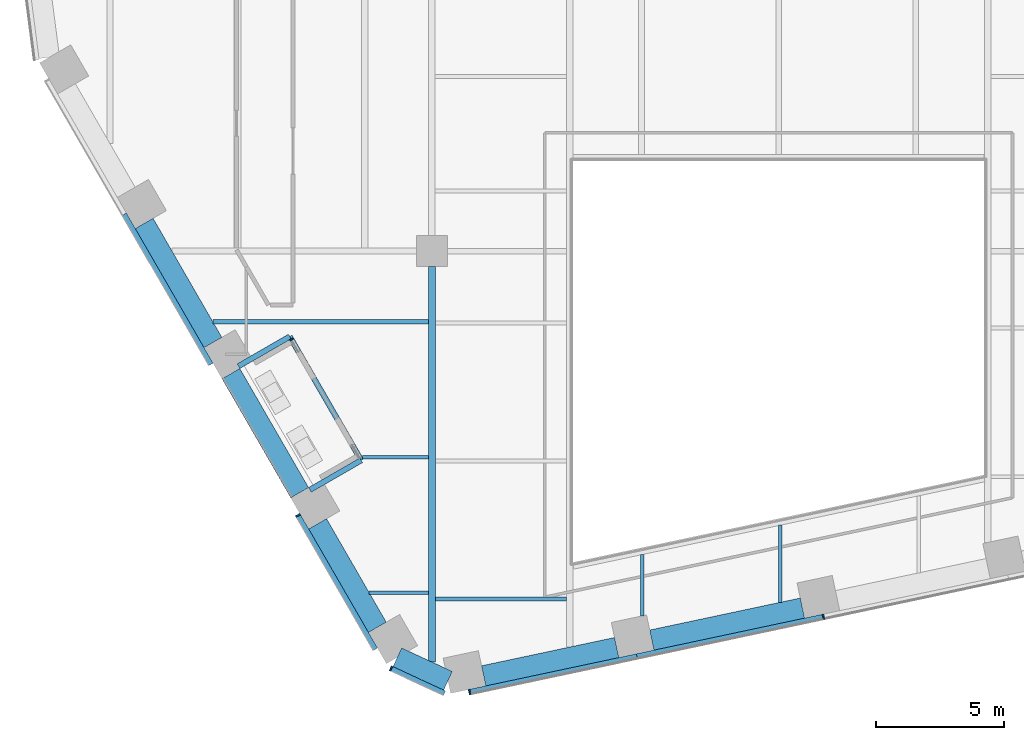
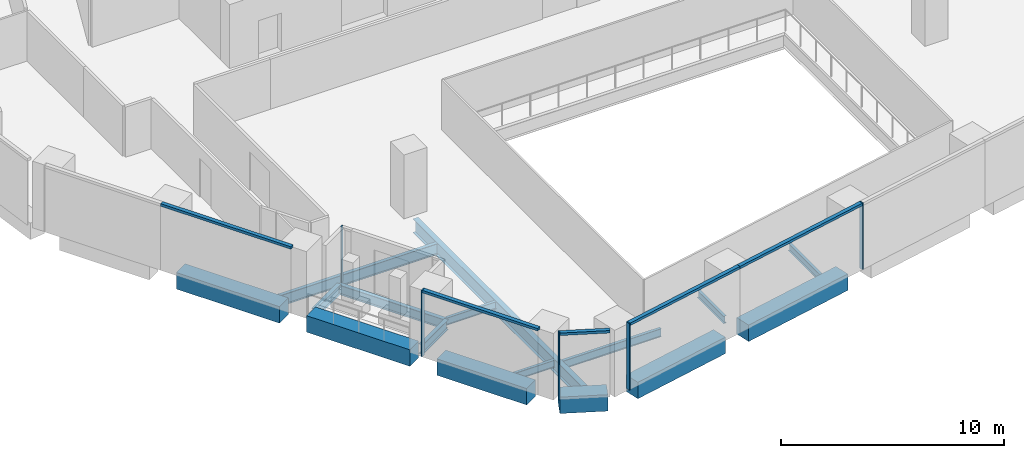
# One storey, part 2 of 26: 16 beams, 10 members, 4 elements without a shape of their own.
"""IFC4 building model written with IfcOpenShell, lengths in metres."""

from ifc_helpers import new_model, si_unit, direction, frame, origin, origin_2d, place, context, subcontext, project, spatial, rectangle, i_section, extrude, material, layer, layer_set, material_profile, profile_set, type_object, element, aggregate, save


model = new_model("IFC4")

# Units and contexts
model_context = context("Model", 3, precision=1e-05, world=origin(), true_north=direction((0.0, 1.0)))
body_context = subcontext(model_context, "Body", "Model", "MODEL_VIEW")
ifc_project = project(units=[si_unit("LENGTHUNIT", "METRE"), si_unit("AREAUNIT", "SQUARE_METRE"), si_unit("VOLUMEUNIT", "CUBIC_METRE"), si_unit("PLANEANGLEUNIT", "RADIAN"), si_unit("MASSUNIT", "GRAM", prefix="KILO")], contexts=[model_context])

# Site, building, storey
site_placement = place(None, origin())
site = spatial("IfcSite", under=ifc_project, at=site_placement, CompositionType="ELEMENT")
building_placement = place(site_placement, origin())
building = spatial("IfcBuilding", under=site, at=building_placement, Name="Isthmus Gate Tower", CompositionType="ELEMENT")
storey_placement = place(building_placement, frame((0.0, 0.0, 129.800048828125)))
storey = spatial("IfcBuildingStorey", under=building, at=storey_placement, Name="L31", CompositionType="ELEMENT", Elevation=129.800048828125)

# Curtain wall, member
ifc_material_1 = material(Name="Aluminium, pale champagne anodised", Category="aluminium")
ifc_layer_1 = layer(ifc_material_1, 0.199951171875)
ifc_layer_set_1 = layer_set([ifc_layer_1], Name="CW-1 UNITISED CURTAIN WALL 200 DEEP")
curtain_wall_type_1 = type_object("IfcCurtainWallType", Name="CW-1 UNITISED CURTAIN WALL 200 DEEP", PredefinedType="NOTDEFINED", material=ifc_layer_set_1)
curtain_wall_1_placement = place(storey_placement, origin())
curtain_wall_1 = element("IfcCurtainWall", 1, at=curtain_wall_1_placement, inside=storey, type_object=curtain_wall_type_1, Name="CW-1 SW L31", PredefinedType="NOTDEFINED")
ifc_material_2 = material(Name="Aluminium, pale champagne anodised", Category="aluminium")
ifc_material_profile_1 = material_profile(ifc_material_2, rectangle(XDim=0.06005859375, YDim=0.199951171875, at=origin_2d()), Name="60x200")
ifc_profile_set_1 = profile_set([ifc_material_profile_1], Name="Aluminium, pale champagne anodised")
member_type_1 = type_object("IfcMemberType", Name="CW-1 MULLION 60 X 200", PredefinedType="MULLION", material=ifc_profile_set_1)
member_1_placement = place(storey_placement, frame((-18.71435546875, -23.78564453125, 0.0), z_axis=(0.0, 0.0, 1.0), x_axis=(0.5, -0.866025403784, 0.0)))
member_1 = element("IfcMember", 2, at=member_1_placement, type_object=member_type_1, Name="CW-1 mullion", PredefinedType="MULLION", context=body_context, shape_type="SweptSolid", body=[
    extrude(rectangle(XDim=0.06005859375, YDim=0.199951171875, at=origin_2d()), origin(), (0.0, 0.0, 1.0), 3.64990234375),
])

curtain_wall_2_placement = place(storey_placement, origin())
curtain_wall_2 = element("IfcCurtainWall", 3, at=curtain_wall_2_placement, inside=storey, type_object=curtain_wall_type_1, Name="CW-1 SW-S L31", PredefinedType="NOTDEFINED")
member_2_placement = place(storey_placement, frame((-15.091064453125, -29.74755859375, 0.0), z_axis=(0.0, 0.0, 1.0), x_axis=(0.907256261367, -0.420578264073, 0.0)))
member_2 = element("IfcMember", 4, at=member_2_placement, type_object=member_type_1, Name="CW-1 mullion", PredefinedType="MULLION", context=body_context, shape_type="SweptSolid", body=[
    extrude(rectangle(XDim=0.06005859375, YDim=0.199951171875, at=origin_2d()), origin(), (0.0, 0.0, 1.0), 3.64990234375),
])

# Curtain wall, members
curtain_wall_3_placement = place(storey_placement, origin())
curtain_wall_3 = element("IfcCurtainWall", 5, at=curtain_wall_3_placement, inside=storey, type_object=curtain_wall_type_1, Name="CW-1 S L31", PredefinedType="NOTDEFINED")
member_3_placement = place(storey_placement, frame((-12.03369140625, -30.66015625, 0.0), z_axis=(0.0, 0.0, 1.0), x_axis=(0.978147600734, 0.207911690818, 0.0)))
member_3 = element("IfcMember", 6, at=member_3_placement, type_object=member_type_1, Name="CW-1 mullion", PredefinedType="MULLION", context=body_context, shape_type="SweptSolid", body=[
    extrude(rectangle(XDim=0.06005859375, YDim=0.199951171875, at=origin_2d()), origin(), (0.0, 0.0, 1.0), 3.64990234375),
])
member_4_placement = place(storey_placement, frame((1.740234375, -27.732421875, 0.0), z_axis=(0.0, 0.0, 1.0), x_axis=(0.978147600734, 0.207911690818, 0.0)))
member_4 = element("IfcMember", 7, at=member_4_placement, type_object=member_type_1, Name="CW-1 mullion", PredefinedType="MULLION", context=body_context, shape_type="SweptSolid", body=[
    extrude(rectangle(XDim=0.06005859375, YDim=0.199951171875, at=origin_2d()), origin(), (0.0, 0.0, 1.0), 3.64990234375),
])

# Member
ifc_material_3 = material(Name="Aluminium, pale champagne anodised", Category="aluminium")
ifc_material_profile_2 = material_profile(ifc_material_3, rectangle(XDim=0.199951171875, YDim=0.139892578125, at=origin_2d()), Name="200x140")
ifc_profile_set_2 = profile_set([ifc_material_profile_2], Name="Aluminium, pale champagne anodised")
member_type_2 = type_object("IfcMemberType", Name="CW-1 TRANSOM 200 X 140", PredefinedType="USERDEFINED", material=ifc_profile_set_2)
member_5_placement = place(storey_placement, frame((-25.4794921875, -12.068115234375, 3.579833984375), z_axis=(0.49998230858, -0.86603561769, 0.0), x_axis=(0.86603561769, 0.49998230858, 0.0)))
member_5 = element("IfcMember", 8, at=member_5_placement, type_object=member_type_2, Name="CW-1 transom", ObjectType="TRANSOM", PredefinedType="USERDEFINED", context=body_context, shape_type="SweptSolid", body=[
    extrude(rectangle(XDim=0.199951171875, YDim=0.139892578125, at=origin_2d()), origin(), (0.0, 0.0, 1.0), 6.750244140625),
])

member_6_placement = place(storey_placement, frame((-18.699462890625, -23.811767578125, 3.579833984375), z_axis=(0.500014106551, -0.86601725921, 0.0), x_axis=(0.86601725921, 0.500014106551, 0.0)))
member_6 = element("IfcMember", 9, at=member_6_placement, type_object=member_type_2, Name="CW-1 transom", ObjectType="TRANSOM", PredefinedType="USERDEFINED", context=body_context, shape_type="SweptSolid", body=[
    extrude(rectangle(XDim=0.199951171875, YDim=0.139892578125, at=origin_2d()), origin(), (0.0, 0.0, 1.0), 5.989990234375),
])

aggregate(curtain_wall_1, [member_5, member_1, member_6])

member_7_placement = place(storey_placement, frame((-15.06396484375, -29.76025390625, 3.579833984375), z_axis=(0.907246225564, -0.420599912268, 0.0), x_axis=(0.420599912268, 0.907246225564, 0.0)))
member_7 = element("IfcMember", 10, at=member_7_placement, type_object=member_type_2, Name="CW-1 transom", ObjectType="TRANSOM", PredefinedType="USERDEFINED", context=body_context, shape_type="SweptSolid", body=[
    extrude(rectangle(XDim=0.199951171875, YDim=0.139892578125, at=origin_2d()), origin(), (0.0, 0.0, 1.0), 2.258544921875),
])

aggregate(curtain_wall_2, [member_2, member_7])

member_8_placement = place(storey_placement, frame((-12.00439453125, -30.65380859375, 3.579833984375), z_axis=(0.97814593552, 0.207919524877, 0.0), x_axis=(-0.207919524877, 0.97814593552, 0.0)))
member_8 = element("IfcMember", 11, at=member_8_placement, type_object=member_type_2, Name="CW-1 transom", ObjectType="TRANSOM", PredefinedType="USERDEFINED", context=body_context, shape_type="SweptSolid", body=[
    extrude(rectangle(XDim=0.199951171875, YDim=0.139892578125, at=origin_2d()), origin(), (0.0, 0.0, 1.0), 6.630859375),
])

member_9_placement = place(storey_placement, frame((-5.5185546875, -29.275146484375, 3.579833984375), z_axis=(0.978147683684, 0.207911300568, 0.0), x_axis=(-0.207911300568, 0.978147683684, 0.0)))
member_9 = element("IfcMember", 12, at=member_9_placement, type_object=member_type_2, Name="CW-1 transom", ObjectType="TRANSOM", PredefinedType="USERDEFINED", context=body_context, shape_type="SweptSolid", body=[
    extrude(rectangle(XDim=0.199951171875, YDim=0.139892578125, at=origin_2d()), origin(), (0.0, 0.0, 1.0), 7.390869140625),
])

aggregate(curtain_wall_3, [member_3, member_8, member_9, member_4])

# Curtain wall, member
ifc_material_4 = material(Name="Aluminium, pale champagne anodised", Category="aluminium")
ifc_layer_2 = layer(ifc_material_4, 0.14990234375)
ifc_layer_set_2 = layer_set([ifc_layer_2], Name="CW-6 LOGGIA BACK WALL GLAZING 150 DEEP")
curtain_wall_type_2 = type_object("IfcCurtainWallType", Name="CW-6 LOGGIA BACK WALL GLAZING 150 DEEP", PredefinedType="NOTDEFINED", material=ifc_layer_set_2)
curtain_wall_4_placement = place(storey_placement, origin())
curtain_wall_4 = element("IfcCurtainWall", 13, at=curtain_wall_4_placement, inside=storey, type_object=curtain_wall_type_2, Name="CW-6 SW L31", PredefinedType="NOTDEFINED")
ifc_material_5 = material(Name="Aluminium, pale champagne anodised", Category="aluminium")
ifc_material_profile_3 = material_profile(ifc_material_5, rectangle(XDim=0.06005859375, YDim=0.14990234375, at=origin_2d()), Name="60x150")
ifc_profile_set_3 = profile_set([ifc_material_profile_3], Name="Aluminium, pale champagne anodised")
member_type_3 = type_object("IfcMemberType", Name="CW-6 MULLION 60 X 150", PredefinedType="MULLION", material=ifc_profile_set_3)
member_10_placement = place(storey_placement, frame((-18.96826171875, -16.946044921875, 0.0), z_axis=(0.0, 0.0, 1.0), x_axis=(0.5, -0.866025403784, 0.0)))
member_10 = element("IfcMember", 14, at=member_10_placement, type_object=member_type_3, Name="CW-6 mullion", PredefinedType="MULLION", context=body_context, shape_type="SweptSolid", body=[
    extrude(rectangle(XDim=0.06005859375, YDim=0.14990234375, at=origin_2d()), origin(), (0.0, 0.0, 1.0), 3.050048828125),
])
aggregate(curtain_wall_4, [member_10])

# Beams
ifc_material_6 = material(Name="Concrete f'c 60 MPa", Category="concrete")
ifc_material_profile_4 = material_profile(ifc_material_6, rectangle(XDim=0.800048828125, YDim=0.89990234375, at=origin_2d()), Name="RC 800X900")
ifc_profile_set_4 = profile_set([ifc_material_profile_4], Name="Concrete f'c 60 MPa")
beam_type_1 = type_object("IfcBeamType", Name="RC SPANDREL 800 X 900", PredefinedType="SPANDREL", material=ifc_profile_set_4)
beam_1_placement = place(storey_placement, frame((0.922119140625, -27.39501953125, -0.449951171875), z_axis=(-0.978145798872, -0.20792016773, 0.0), x_axis=(0.20792016773, -0.978145798872, 0.0)))
element("IfcBeam", 15, at=beam_1_placement, inside=storey, type_object=beam_type_1, Name="str-spandrel-L31-13", PredefinedType="SPANDREL", context=body_context, shape_type="SweptSolid", body=[
    extrude(rectangle(XDim=0.800048828125, YDim=0.89990234375, at=origin_2d()), origin(), (0.0, 0.0, 1.0), 5.99072265625),
])
beam_2_placement = place(storey_placement, frame((-6.30712890625, -28.931640625, -0.449951171875), z_axis=(-0.978145479826, -0.207921668653, 0.0), x_axis=(0.207921668653, -0.978145479826, 0.0)))
element("IfcBeam", 16, at=beam_2_placement, inside=storey, type_object=beam_type_1, Name="str-spandrel-L31-14", PredefinedType="SPANDREL", context=body_context, shape_type="SweptSolid", body=[
    extrude(rectangle(XDim=0.800048828125, YDim=0.89990234375, at=origin_2d()), origin(), (0.0, 0.0, 1.0), 5.291015625),
])
beam_3_placement = place(storey_placement, frame((-12.87255859375, -30.224853515625, -0.449951171875), z_axis=(-0.907290744498, 0.420503870314, 0.0), x_axis=(-0.420503870314, -0.907290744498, 0.0)))
element("IfcBeam", 17, at=beam_3_placement, inside=storey, type_object=beam_type_1, Name="str-spandrel-L31-15", PredefinedType="SPANDREL", context=body_context, shape_type="SweptSolid", body=[
    extrude(rectangle(XDim=0.800048828125, YDim=0.89990234375, at=origin_2d()), origin(), (0.0, 0.0, 1.0), 2.173095703125),
])
beam_4_placement = place(storey_placement, frame((-15.621337890625, -28.14306640625, -0.449951171875), z_axis=(-0.499984536904, 0.866034331223, 0.0), x_axis=(-0.866034331223, -0.499984536904, 0.0)))
element("IfcBeam", 18, at=beam_4_placement, inside=storey, type_object=beam_type_1, Name="str-spandrel-L31-16", PredefinedType="SPANDREL", context=body_context, shape_type="SweptSolid", body=[
    extrude(rectangle(XDim=0.800048828125, YDim=0.89990234375, at=origin_2d()), origin(), (0.0, 0.0, 1.0), 4.650146484375),
])
for number, where, z_axis, x_axis, name in (
    (19, (-18.646484375, -22.903564453125, -0.449951171875), (-0.500001594578, 0.866024483152, 0.0), (-0.866024483152, -0.500001594578, 0.0), "str-spandrel-L31-17"),
    (20, (-22.021484375, -17.0576171875, -0.449951171875), (-0.500001594578, 0.866024483152, 0.0), (-0.866024483152, -0.500001594578, 0.0), "str-spandrel-L31-18"),
):
    element("IfcBeam", number, at=place(storey_placement, frame(where, z_axis=z_axis, x_axis=x_axis)), inside=storey, type_object=beam_type_1, Name=name, PredefinedType="SPANDREL", context=body_context, shape_type="SweptSolid", body=[
        extrude(rectangle(XDim=0.800048828125, YDim=0.89990234375, at=origin_2d()), origin(), (0.0, 0.0, 1.0), 5.35009765625),
    ])
ifc_material_7 = material(Name="Structural steel ASTM A992 Gr 50", Category="steel")
ifc_material_profile_5 = material_profile(ifc_material_7, i_section(OverallWidth=0.1396484375, OverallDepth=0.4033203125, WebThickness=0.00634765625, FlangeThickness=0.010986328125, at=origin_2d()), Name="W16X31")
ifc_profile_set_5 = profile_set([ifc_material_profile_5], Name="Structural steel ASTM A992 Gr 50")
beam_type_2 = type_object("IfcBeamType", Name="STEEL FLOOR BEAM W16X31", PredefinedType="JOIST", material=ifc_profile_set_5)
beam_5_placement = place(storey_placement, frame((-15.937744140625, -26.795166015625, -0.3515625), z_axis=(1.0, 0.0, 0.0), x_axis=(0.0, 1.0, 0.0)))
element("IfcBeam", 21, at=beam_5_placement, inside=storey, type_object=beam_type_2, Name="str-beam-L31-04-00", PredefinedType="JOIST", context=body_context, shape_type="SweptSolid", body=[
    extrude(i_section(OverallWidth=0.1396484375, OverallDepth=0.4033203125, WebThickness=0.00634765625, FlangeThickness=0.010986328125, at=origin_2d()), origin(), (0.0, 0.0, 1.0), 2.304443359375),
])
beam_6_placement = place(storey_placement, frame((-16.199462890625, -21.52294921875, -0.3515625), z_axis=(1.0, 0.0, 0.0), x_axis=(0.0, 1.0, 0.0)))
element("IfcBeam", 22, at=beam_6_placement, inside=storey, type_object=beam_type_2, Name="str-beam-L31-04-01", PredefinedType="JOIST", context=body_context, shape_type="SweptSolid", body=[
    extrude(i_section(OverallWidth=0.1396484375, OverallDepth=0.4033203125, WebThickness=0.00634765625, FlangeThickness=0.010986328125, at=origin_2d()), origin(), (0.0, 0.0, 1.0), 2.566162109375),
])
beam_7_placement = place(storey_placement, frame((-5.311279296875, -27.69775390625, -0.3515625), z_axis=(0.0, 1.0, 0.0), x_axis=(-1.0, 0.0, 0.0)))
element("IfcBeam", 23, at=beam_7_placement, inside=storey, type_object=beam_type_2, Name="str-beam-L31-10-00", PredefinedType="JOIST", context=body_context, shape_type="SweptSolid", body=[
    extrude(i_section(OverallWidth=0.1396484375, OverallDepth=0.4033203125, WebThickness=0.00634765625, FlangeThickness=0.010986328125, at=origin_2d()), origin(), (0.0, 0.0, 1.0), 2.385498046875),
])
beam_8_placement = place(storey_placement, frame((0.06591796875, -27.168212890625, -0.3515625), z_axis=(0.0, 1.0, 0.0), x_axis=(-1.0, 0.0, 0.0)))
element("IfcBeam", 24, at=beam_8_placement, inside=storey, type_object=beam_type_2, Name="str-beam-L31-10-01", PredefinedType="JOIST", context=body_context, shape_type="SweptSolid", body=[
    extrude(i_section(OverallWidth=0.1396484375, OverallDepth=0.4033203125, WebThickness=0.00634765625, FlangeThickness=0.010986328125, at=origin_2d()), origin(), (0.0, 0.0, 1.0), 2.9990234375),
])
ifc_material_8 = material(Name="Structural steel ASTM A992 Gr 50", Category="steel")
ifc_material_profile_6 = material_profile(ifc_material_8, i_section(OverallWidth=0.15234375, OverallDepth=0.45068359375, WebThickness=0.0078125, FlangeThickness=0.010986328125, at=origin_2d()), Name="W18X35")
ifc_profile_set_6 = profile_set([ifc_material_profile_6], Name="Structural steel ASTM A992 Gr 50")
beam_type_3 = type_object("IfcBeamType", Name="STEEL FLOOR BEAM W18X35", PredefinedType="JOIST", material=ifc_profile_set_6)
beam_9_placement = place(storey_placement, frame((-13.36669921875, -27.04736328125, -0.37548828125), z_axis=(1.0, 0.0, 0.0), x_axis=(0.0, 1.0, 0.0)))
element("IfcBeam", 25, at=beam_9_placement, inside=storey, type_object=beam_type_3, Name="str-beam-L31-05-00", PredefinedType="JOIST", context=body_context, shape_type="SweptSolid", body=[
    extrude(i_section(OverallWidth=0.15234375, OverallDepth=0.45068359375, WebThickness=0.0078125, FlangeThickness=0.010986328125, at=origin_2d()), origin(), (0.0, 0.0, 1.0), 5.10009765625),
])
ifc_material_9 = material(Name="Structural steel ASTM A992 Gr 50", Category="steel")
ifc_material_profile_7 = material_profile(ifc_material_9, i_section(OverallWidth=0.177734375, OverallDepth=0.60009765625, WebThickness=0.009521484375, FlangeThickness=0.0126953125, at=origin_2d()), Name="W24X55")
ifc_profile_set_7 = profile_set([ifc_material_profile_7], Name="Structural steel ASTM A992 Gr 50")
beam_type_4 = type_object("IfcBeamType", Name="STEEL FLOOR BEAM W24X55", PredefinedType="JOIST", material=ifc_profile_set_7)
beam_10_placement = place(storey_placement, frame((-22.025634765625, -16.25048828125, -0.4501953125), z_axis=(1.0, 0.0, 0.0), x_axis=(0.0, 1.0, 0.0)))
element("IfcBeam", 26, at=beam_10_placement, inside=storey, type_object=beam_type_4, Name="str-beam-L31-04-02", PredefinedType="JOIST", context=body_context, shape_type="SweptSolid", body=[
    extrude(i_section(OverallWidth=0.177734375, OverallDepth=0.60009765625, WebThickness=0.009521484375, FlangeThickness=0.0126953125, at=origin_2d()), origin(), (0.0, 0.0, 1.0), 8.392333984375),
])
ifc_material_10 = material(Name="Structural steel ASTM A992 Gr 50", Category="steel")
ifc_material_profile_8 = material_profile(ifc_material_10, i_section(OverallWidth=0.2666015625, OverallDepth=0.7587890625, WebThickness=0.014404296875, FlangeThickness=0.01904296875, at=origin_2d()), Name="W30X108")
ifc_profile_set_8 = profile_set([ifc_material_profile_8], Name="Structural steel ASTM A992 Gr 50")
beam_type_5 = type_object("IfcBeamType", Name="STEEL GIRDER W30X108", PredefinedType="BEAM", material=ifc_profile_set_8)
beam_11_placement = place(storey_placement, frame((-13.5, -29.4931640625, -0.529541015625), z_axis=(0.0, 1.0, 0.0), x_axis=(-1.0, 0.0, 0.0)))
element("IfcBeam", 27, at=beam_11_placement, inside=storey, type_object=beam_type_5, Name="str-girder-L31-06", PredefinedType="BEAM", context=body_context, shape_type="SweptSolid", body=[
    extrude(i_section(OverallWidth=0.2666015625, OverallDepth=0.7587890625, WebThickness=0.014404296875, FlangeThickness=0.01904296875, at=origin_2d()), origin(), (0.0, 0.0, 1.0), 15.39306640625),
])
ifc_material_11 = material(Name="Structural steel ASTM A992 Gr 50", Category="steel")
ifc_material_profile_9 = material_profile(ifc_material_11, i_section(OverallWidth=0.20947265625, OverallDepth=0.533447265625, WebThickness=0.009521484375, FlangeThickness=0.015869140625, at=origin_2d()), Name="W21X62")
ifc_profile_set_9 = profile_set([ifc_material_profile_9], Name="Structural steel ASTM A992 Gr 50")
beam_type_6 = type_object("IfcBeamType", Name="STEEL TRIMMER W21X62", PredefinedType="BEAM", material=ifc_profile_set_9)
beam_12_placement = place(storey_placement, frame((-19.031494140625, -16.8271484375, -0.416748046875), z_axis=(0.50000248139, -0.866023971148, 0.0), x_axis=(0.866023971148, 0.50000248139, 0.0)))
element("IfcBeam", 28, at=beam_12_placement, inside=storey, type_object=beam_type_6, Name="str-loggiatrim-L31-03-B", PredefinedType="BEAM", context=body_context, shape_type="SweptSolid", body=[
    extrude(i_section(OverallWidth=0.20947265625, OverallDepth=0.533447265625, WebThickness=0.009521484375, FlangeThickness=0.015869140625, at=origin_2d()), origin(), (0.0, 0.0, 1.0), 5.5595703125),
])
for number, where, z_axis, x_axis, name in (
    (29, (-21.02734375, -17.9794921875, -0.416748046875), (0.866017993231, 0.500012835235, 0.0), (-0.500012835235, 0.866017993231, 0.0), "str-loggiatrim-L31-03-A"),
    (30, (-18.24755859375, -22.794189453125, -0.416748046875), (0.866017993231, 0.500012835235, 0.0), (-0.500012835235, 0.866017993231, 0.0), "str-loggiatrim-L31-03-C"),
):
    element("IfcBeam", number, at=place(storey_placement, frame(where, z_axis=z_axis, x_axis=x_axis)), inside=storey, type_object=beam_type_6, Name=name, PredefinedType="BEAM", context=body_context, shape_type="SweptSolid", body=[
        extrude(i_section(OverallWidth=0.20947265625, OverallDepth=0.533447265625, WebThickness=0.009521484375, FlangeThickness=0.015869140625, at=origin_2d()), origin(), (0.0, 0.0, 1.0), 2.3046875),
    ])

save(model, "model.ifc")
